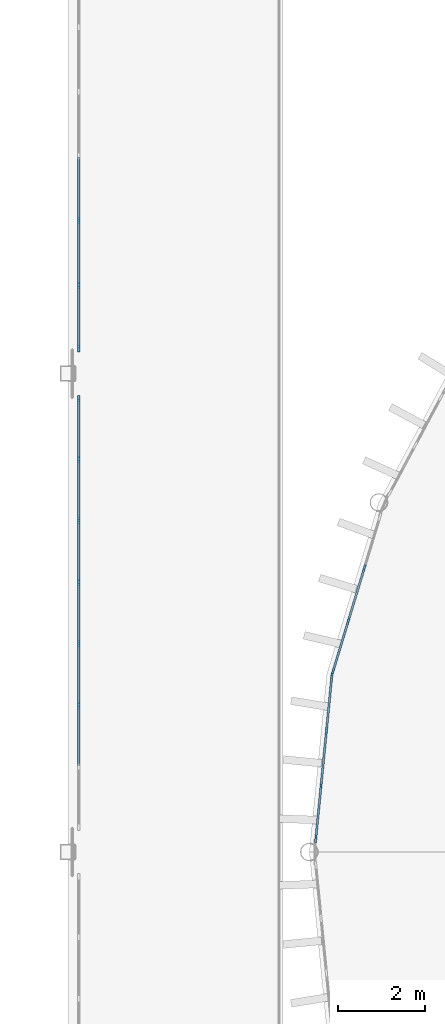
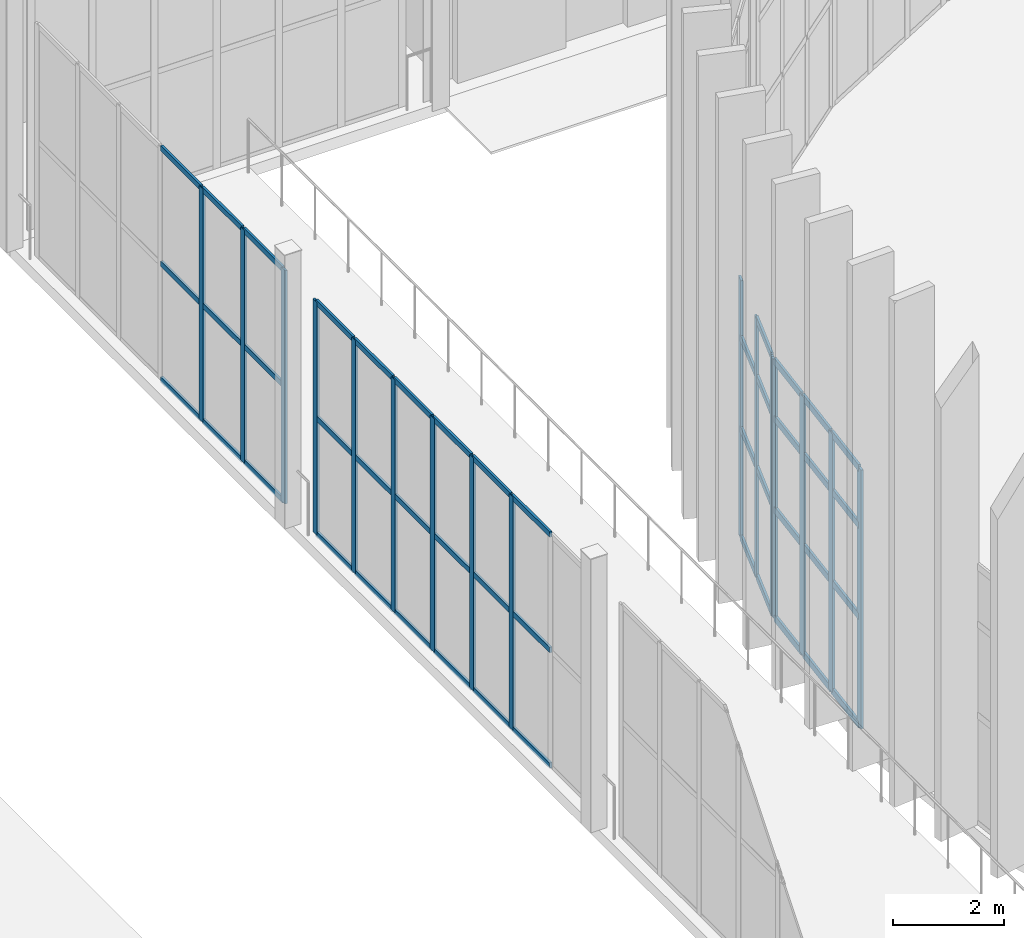
# One storey, part 43 of 139: 62 members, 4 elements without a shape of their own.
"""IFC4 building model written with IfcOpenShell, lengths in metres."""

from ifc_helpers import new_model, si_unit, direction, frame, origin, origin_2d, place, context, subcontext, project, spatial, rectangle, extrude, material, layer, layer_set, material_profile, profile_set, type_object, element, aggregate, save


model = new_model("IFC4")

# Units and contexts
model_context = context("Model", 3, precision=1e-05, world=origin(), true_north=direction((0.0, 1.0)))
body_context = subcontext(model_context, "Body", "Model", "MODEL_VIEW")
ifc_project = project(units=[si_unit("LENGTHUNIT", "METRE"), si_unit("AREAUNIT", "SQUARE_METRE"), si_unit("VOLUMEUNIT", "CUBIC_METRE"), si_unit("PLANEANGLEUNIT", "RADIAN"), si_unit("MASSUNIT", "GRAM", prefix="KILO")], contexts=[model_context])

# Site, building, storey
site_placement = place(None, origin())
site = spatial("IfcSite", under=ifc_project, at=site_placement, CompositionType="ELEMENT")
building_placement = place(site_placement, origin())
building = spatial("IfcBuilding", under=site, at=building_placement, Name="Yeouljin Market Hall", CompositionType="ELEMENT")
storey_placement = place(building_placement, origin())
storey = spatial("IfcBuildingStorey", under=building, at=storey_placement, Name="L00", CompositionType="ELEMENT", Elevation=0.0)

# Curtain wall, members
ifc_material_1 = material(Name="Thermally Broken Aluminium", Category="aluminium")
ifc_layer_1 = layer(ifc_material_1, 0.14990234375)
ifc_layer_set_1 = layer_set([ifc_layer_1], Name="Thermally Broken Aluminium")
curtain_wall_type_1 = type_object("IfcCurtainWallType", Name="CW_WingStorefront_System", PredefinedType="USERDEFINED", material=ifc_layer_set_1)
curtain_wall_1_placement = place(storey_placement, origin())
curtain_wall_1 = element("IfcCurtainWall", 1, at=curtain_wall_1_placement, inside=storey, type_object=curtain_wall_type_1, Name="Curtain wall CW-CRT-L00-07", ObjectType="CURTAIN WALL", PredefinedType="USERDEFINED")
ifc_material_2 = material(Name="Thermally Broken Aluminium", Category="aluminium")
ifc_material_profile_1 = material_profile(ifc_material_2, rectangle(XDim=0.048095703125, YDim=0.14990234375, at=origin_2d()), Name="CW-MULL-48x150")
ifc_profile_set_1 = profile_set([ifc_material_profile_1], Name="Thermally Broken Aluminium")
member_type_1 = type_object("IfcMemberType", Name="CWMullion_48x150", PredefinedType="MULLION", material=ifc_profile_set_1)
member_1_placement = place(storey_placement, frame((9.10009765625, 60.378662109375, 0.0), z_axis=(0.0, 0.0, 1.0), x_axis=(-1.0, 0.0, 0.0)))
member_1 = element("IfcMember", 2, at=member_1_placement, type_object=member_type_1, Name="CW-04 mullion 3", PredefinedType="MULLION", context=body_context, shape_type="SweptSolid", body=[
    extrude(rectangle(XDim=0.048095703125, YDim=0.14990234375, at=origin_2d()), origin(), (0.0, 0.0, 1.0), 5.1201171875),
])
member_2_placement = place(storey_placement, frame((9.10009765625, 61.79296875, 0.0), z_axis=(0.0, 0.0, 1.0), x_axis=(-1.0, 0.0, 0.0)))
member_2 = element("IfcMember", 3, at=member_2_placement, type_object=member_type_1, Name="CW-04 mullion 4", PredefinedType="MULLION", context=body_context, shape_type="SweptSolid", body=[
    extrude(rectangle(XDim=0.048095703125, YDim=0.14990234375, at=origin_2d()), origin(), (0.0, 0.0, 1.0), 5.1201171875),
])
member_3_placement = place(storey_placement, frame((9.10009765625, 63.20703125, 0.0), z_axis=(0.0, 0.0, 1.0), x_axis=(-1.0, 0.0, 0.0)))
member_3 = element("IfcMember", 4, at=member_3_placement, type_object=member_type_1, Name="CW-04 mullion 5", PredefinedType="MULLION", context=body_context, shape_type="SweptSolid", body=[
    extrude(rectangle(XDim=0.048095703125, YDim=0.14990234375, at=origin_2d()), origin(), (0.0, 0.0, 1.0), 5.1201171875),
])
member_4_placement = place(storey_placement, frame((9.10009765625, 64.621337890625, 0.0), z_axis=(0.0, 0.0, 1.0), x_axis=(-1.0, 0.0, 0.0)))
member_4 = element("IfcMember", 5, at=member_4_placement, type_object=member_type_1, Name="CW-04 mullion 6", PredefinedType="MULLION", context=body_context, shape_type="SweptSolid", body=[
    extrude(rectangle(XDim=0.048095703125, YDim=0.14990234375, at=origin_2d()), origin(), (0.0, 0.0, 1.0), 5.1201171875),
])
member_5_placement = place(storey_placement, frame((9.10009765625, 66.03564453125, 0.0), z_axis=(0.0, 0.0, 1.0), x_axis=(-1.0, 0.0, 0.0)))
member_5 = element("IfcMember", 6, at=member_5_placement, type_object=member_type_1, Name="CW-04 mullion 7", PredefinedType="MULLION", context=body_context, shape_type="SweptSolid", body=[
    extrude(rectangle(XDim=0.048095703125, YDim=0.14990234375, at=origin_2d()), origin(), (0.0, 0.0, 1.0), 5.1201171875),
])
member_6_placement = place(storey_placement, frame((9.10009765625, 67.426025390625, 0.0), z_axis=(0.0, 0.0, 1.0), x_axis=(-1.0, 0.0, 0.0)))
member_6 = element("IfcMember", 7, at=member_6_placement, type_object=member_type_1, Name="CW-04 mullion 8", PredefinedType="MULLION", context=body_context, shape_type="SweptSolid", body=[
    extrude(rectangle(XDim=0.048095703125, YDim=0.14990234375, at=origin_2d()), origin(), (0.0, 0.0, 1.0), 5.1201171875),
])

curtain_wall_2_placement = place(storey_placement, origin())
curtain_wall_2 = element("IfcCurtainWall", 8, at=curtain_wall_2_placement, inside=storey, type_object=curtain_wall_type_1, Name="Curtain wall CW-CRT-L00-08", ObjectType="CURTAIN WALL", PredefinedType="USERDEFINED")
member_7_placement = place(storey_placement, frame((9.10009765625, 68.573974609375, 0.0), z_axis=(0.0, 0.0, 1.0), x_axis=(-1.0, 0.0, 0.0)))
member_7 = element("IfcMember", 9, at=member_7_placement, type_object=member_type_1, Name="CW-04 mullion 1", PredefinedType="MULLION", context=body_context, shape_type="SweptSolid", body=[
    extrude(rectangle(XDim=0.048095703125, YDim=0.14990234375, at=origin_2d()), origin(), (0.0, 0.0, 1.0), 5.1201171875),
])
member_8_placement = place(storey_placement, frame((9.10009765625, 70.033447265625, 0.0), z_axis=(0.0, 0.0, 1.0), x_axis=(-1.0, 0.0, 0.0)))
member_8 = element("IfcMember", 10, at=member_8_placement, type_object=member_type_1, Name="CW-04 mullion 2", PredefinedType="MULLION", context=body_context, shape_type="SweptSolid", body=[
    extrude(rectangle(XDim=0.048095703125, YDim=0.14990234375, at=origin_2d()), origin(), (0.0, 0.0, 1.0), 5.1201171875),
])
member_9_placement = place(storey_placement, frame((9.10009765625, 71.5166015625, 0.0), z_axis=(0.0, 0.0, 1.0), x_axis=(-1.0, 0.0, 0.0)))
member_9 = element("IfcMember", 11, at=member_9_placement, type_object=member_type_1, Name="CW-04 mullion 3", PredefinedType="MULLION", context=body_context, shape_type="SweptSolid", body=[
    extrude(rectangle(XDim=0.048095703125, YDim=0.14990234375, at=origin_2d()), origin(), (0.0, 0.0, 1.0), 5.1201171875),
])

ifc_material_3 = material(Name="Thermally Broken Aluminium", Category="aluminium")
ifc_layer_2 = layer(ifc_material_3, 0.179931640625)
ifc_layer_set_2 = layer_set([ifc_layer_2], Name="Thermally Broken Aluminium")
curtain_wall_type_2 = type_object("IfcCurtainWallType", Name="CW_ApseCurved_System", PredefinedType="USERDEFINED", material=ifc_layer_set_2)
curtain_wall_3_placement = place(storey_placement, origin())
curtain_wall_3 = element("IfcCurtainWall", 12, at=curtain_wall_3_placement, inside=storey, type_object=curtain_wall_type_2, Name="Curtain wall CW-AP-WL00-09", ObjectType="CURTAIN WALL", PredefinedType="USERDEFINED")
ifc_material_4 = material(Name="Thermally Broken Aluminium", Category="aluminium")
ifc_material_profile_2 = material_profile(ifc_material_4, rectangle(XDim=0.048095703125, YDim=0.179931640625, at=origin_2d()), Name="CW-MULL-48x180")
ifc_profile_set_2 = profile_set([ifc_material_profile_2], Name="Thermally Broken Aluminium")
member_type_2 = type_object("IfcMemberType", Name="CWMullion_48x180", PredefinedType="MULLION", material=ifc_profile_set_2)
member_10_placement = place(storey_placement, frame((14.5498046875, 57.302490234375, 0.0), z_axis=(0.0, 0.0, 1.0), x_axis=(-0.995183051807, 0.09803414403, 0.0)))
member_10 = element("IfcMember", 13, at=member_10_placement, type_object=member_type_2, Name="CW-03 mullion 1", PredefinedType="MULLION", context=body_context, shape_type="SweptSolid", body=[
    extrude(rectangle(XDim=0.048095703125, YDim=0.179931640625, at=origin_2d()), origin(), (0.0, 0.0, 1.0), 5.679931640625),
])
member_11_placement = place(storey_placement, frame((14.670654296875, 58.5302734375, 0.0), z_axis=(0.0, 0.0, 1.0), x_axis=(-0.995183051807, 0.09803414403, 0.0)))
member_11 = element("IfcMember", 14, at=member_11_placement, type_object=member_type_2, Name="CW-03 mullion 2", PredefinedType="MULLION", context=body_context, shape_type="SweptSolid", body=[
    extrude(rectangle(XDim=0.048095703125, YDim=0.179931640625, at=origin_2d()), origin(), (0.0, 0.0, 1.0), 5.679931640625),
])
member_12_placement = place(storey_placement, frame((14.7939453125, 59.781982421875, 0.0), z_axis=(0.0, 0.0, 1.0), x_axis=(-0.995183051807, 0.09803414403, 0.0)))
member_12 = element("IfcMember", 15, at=member_12_placement, type_object=member_type_2, Name="CW-03 mullion 3", PredefinedType="MULLION", context=body_context, shape_type="SweptSolid", body=[
    extrude(rectangle(XDim=0.048095703125, YDim=0.179931640625, at=origin_2d()), origin(), (0.0, 0.0, 1.0), 5.679931640625),
])
member_13_placement = place(storey_placement, frame((14.9150390625, 61.009765625, 0.0), z_axis=(0.0, 0.0, 1.0), x_axis=(-0.995183051807, 0.09803414403, 0.0)))
member_13 = element("IfcMember", 16, at=member_13_placement, type_object=member_type_2, Name="CW-03 mullion 4", PredefinedType="MULLION", context=body_context, shape_type="SweptSolid", body=[
    extrude(rectangle(XDim=0.048095703125, YDim=0.179931640625, at=origin_2d()), origin(), (0.0, 0.0, 1.0), 5.679931640625),
])

curtain_wall_4_placement = place(storey_placement, origin())
curtain_wall_4 = element("IfcCurtainWall", 17, at=curtain_wall_4_placement, inside=storey, type_object=curtain_wall_type_2, Name="Curtain wall CW-AP-WL00-10", ObjectType="CURTAIN WALL", PredefinedType="USERDEFINED")
member_14_placement = place(storey_placement, frame((14.939697265625, 61.134765625, 0.0), z_axis=(0.0, 0.0, 1.0), x_axis=(-0.95693988447, 0.290286164863, 0.0)))
member_14 = element("IfcMember", 18, at=member_14_placement, type_object=member_type_2, Name="CW-03 mullion 1", PredefinedType="MULLION", context=body_context, shape_type="SweptSolid", body=[
    extrude(rectangle(XDim=0.048095703125, YDim=0.179931640625, at=origin_2d()), origin(), (0.0, 0.0, 1.0), 5.679931640625),
])
member_15_placement = place(storey_placement, frame((15.2978515625, 62.3154296875, 0.0), z_axis=(0.0, 0.0, 1.0), x_axis=(-0.95693988447, 0.290286164863, 0.0)))
member_15 = element("IfcMember", 19, at=member_15_placement, type_object=member_type_2, Name="CW-03 mullion 2", PredefinedType="MULLION", context=body_context, shape_type="SweptSolid", body=[
    extrude(rectangle(XDim=0.048095703125, YDim=0.179931640625, at=origin_2d()), origin(), (0.0, 0.0, 1.0), 5.679931640625),
])
member_16_placement = place(storey_placement, frame((15.6630859375, 63.51904296875, 0.0), z_axis=(0.0, 0.0, 1.0), x_axis=(-0.95693988447, 0.290286164863, 0.0)))
member_16 = element("IfcMember", 20, at=member_16_placement, type_object=member_type_2, Name="CW-03 mullion 3", PredefinedType="MULLION", context=body_context, shape_type="SweptSolid", body=[
    extrude(rectangle(XDim=0.048095703125, YDim=0.179931640625, at=origin_2d()), origin(), (0.0, 0.0, 1.0), 5.679931640625),
])

# Member
ifc_material_5 = material(Name="Thermally Broken Aluminium", Category="aluminium")
ifc_material_profile_3 = material_profile(ifc_material_5, rectangle(XDim=0.048095703125, YDim=0.1201171875, at=origin_2d()), Name="CW-TRAN-48x120")
ifc_profile_set_3 = profile_set([ifc_material_profile_3], Name="Thermally Broken Aluminium")
member_type_3 = type_object("IfcMemberType", Name="CWTransom_48x120", PredefinedType="USERDEFINED", material=ifc_profile_set_3)
member_17_placement = place(storey_placement, frame((9.10009765625, 58.98828125, 0.02392578125), z_axis=(0.0, 1.0, 0.0), x_axis=(-1.0, 0.0, 0.0)))
member_17 = element("IfcMember", 21, at=member_17_placement, type_object=member_type_3, Name="CW-04 transom 2.1", ObjectType="TRANSOM", PredefinedType="USERDEFINED", context=body_context, shape_type="SweptSolid", body=[
    extrude(rectangle(XDim=0.048095703125, YDim=0.1201171875, at=origin_2d()), origin(), (0.0, 0.0, 1.0), 1.3662109375),
])

member_18_placement = place(storey_placement, frame((9.10009765625, 58.98828125, 2.56005859375), z_axis=(0.0, 1.0, 0.0), x_axis=(-1.0, 0.0, 0.0)))
member_18 = element("IfcMember", 22, at=member_18_placement, type_object=member_type_3, Name="CW-04 transom 2.2", ObjectType="TRANSOM", PredefinedType="USERDEFINED", context=body_context, shape_type="SweptSolid", body=[
    extrude(rectangle(XDim=0.048095703125, YDim=0.1201171875, at=origin_2d()), origin(), (0.0, 0.0, 1.0), 1.3662109375),
])

member_19_placement = place(storey_placement, frame((9.10009765625, 58.98828125, 5.095947265625), z_axis=(0.0, 1.0, 0.0), x_axis=(-1.0, 0.0, 0.0)))
member_19 = element("IfcMember", 23, at=member_19_placement, type_object=member_type_3, Name="CW-04 transom 2.3", ObjectType="TRANSOM", PredefinedType="USERDEFINED", context=body_context, shape_type="SweptSolid", body=[
    extrude(rectangle(XDim=0.048095703125, YDim=0.1201171875, at=origin_2d()), origin(), (0.0, 0.0, 1.0), 1.3662109375),
])

member_20_placement = place(storey_placement, frame((9.10009765625, 60.402587890625, 0.02392578125), z_axis=(0.0, 1.0, 0.0), x_axis=(-1.0, 0.0, 0.0)))
member_20 = element("IfcMember", 24, at=member_20_placement, type_object=member_type_3, Name="CW-04 transom 3.1", ObjectType="TRANSOM", PredefinedType="USERDEFINED", context=body_context, shape_type="SweptSolid", body=[
    extrude(rectangle(XDim=0.048095703125, YDim=0.1201171875, at=origin_2d()), origin(), (0.0, 0.0, 1.0), 1.3662109375),
])

member_21_placement = place(storey_placement, frame((9.10009765625, 60.402587890625, 2.56005859375), z_axis=(0.0, 1.0, 0.0), x_axis=(-1.0, 0.0, 0.0)))
member_21 = element("IfcMember", 25, at=member_21_placement, type_object=member_type_3, Name="CW-04 transom 3.2", ObjectType="TRANSOM", PredefinedType="USERDEFINED", context=body_context, shape_type="SweptSolid", body=[
    extrude(rectangle(XDim=0.048095703125, YDim=0.1201171875, at=origin_2d()), origin(), (0.0, 0.0, 1.0), 1.3662109375),
])

member_22_placement = place(storey_placement, frame((9.10009765625, 60.402587890625, 5.095947265625), z_axis=(0.0, 1.0, 0.0), x_axis=(-1.0, 0.0, 0.0)))
member_22 = element("IfcMember", 26, at=member_22_placement, type_object=member_type_3, Name="CW-04 transom 3.3", ObjectType="TRANSOM", PredefinedType="USERDEFINED", context=body_context, shape_type="SweptSolid", body=[
    extrude(rectangle(XDim=0.048095703125, YDim=0.1201171875, at=origin_2d()), origin(), (0.0, 0.0, 1.0), 1.3662109375),
])

member_23_placement = place(storey_placement, frame((9.10009765625, 61.81689453125, 0.02392578125), z_axis=(0.0, 1.0, 0.0), x_axis=(-1.0, 0.0, 0.0)))
member_23 = element("IfcMember", 27, at=member_23_placement, type_object=member_type_3, Name="CW-04 transom 4.1", ObjectType="TRANSOM", PredefinedType="USERDEFINED", context=body_context, shape_type="SweptSolid", body=[
    extrude(rectangle(XDim=0.048095703125, YDim=0.1201171875, at=origin_2d()), origin(), (0.0, 0.0, 1.0), 1.3662109375),
])

member_24_placement = place(storey_placement, frame((9.10009765625, 61.81689453125, 2.56005859375), z_axis=(0.0, 1.0, 0.0), x_axis=(-1.0, 0.0, 0.0)))
member_24 = element("IfcMember", 28, at=member_24_placement, type_object=member_type_3, Name="CW-04 transom 4.2", ObjectType="TRANSOM", PredefinedType="USERDEFINED", context=body_context, shape_type="SweptSolid", body=[
    extrude(rectangle(XDim=0.048095703125, YDim=0.1201171875, at=origin_2d()), origin(), (0.0, 0.0, 1.0), 1.3662109375),
])

member_25_placement = place(storey_placement, frame((9.10009765625, 61.81689453125, 5.095947265625), z_axis=(0.0, 1.0, 0.0), x_axis=(-1.0, 0.0, 0.0)))
member_25 = element("IfcMember", 29, at=member_25_placement, type_object=member_type_3, Name="CW-04 transom 4.3", ObjectType="TRANSOM", PredefinedType="USERDEFINED", context=body_context, shape_type="SweptSolid", body=[
    extrude(rectangle(XDim=0.048095703125, YDim=0.1201171875, at=origin_2d()), origin(), (0.0, 0.0, 1.0), 1.3662109375),
])

member_26_placement = place(storey_placement, frame((9.10009765625, 63.231201171875, 0.02392578125), z_axis=(0.0, 1.0, 0.0), x_axis=(-1.0, 0.0, 0.0)))
member_26 = element("IfcMember", 30, at=member_26_placement, type_object=member_type_3, Name="CW-04 transom 5.1", ObjectType="TRANSOM", PredefinedType="USERDEFINED", context=body_context, shape_type="SweptSolid", body=[
    extrude(rectangle(XDim=0.048095703125, YDim=0.1201171875, at=origin_2d()), origin(), (0.0, 0.0, 1.0), 1.3662109375),
])

member_27_placement = place(storey_placement, frame((9.10009765625, 63.231201171875, 2.56005859375), z_axis=(0.0, 1.0, 0.0), x_axis=(-1.0, 0.0, 0.0)))
member_27 = element("IfcMember", 31, at=member_27_placement, type_object=member_type_3, Name="CW-04 transom 5.2", ObjectType="TRANSOM", PredefinedType="USERDEFINED", context=body_context, shape_type="SweptSolid", body=[
    extrude(rectangle(XDim=0.048095703125, YDim=0.1201171875, at=origin_2d()), origin(), (0.0, 0.0, 1.0), 1.3662109375),
])

member_28_placement = place(storey_placement, frame((9.10009765625, 63.231201171875, 5.095947265625), z_axis=(0.0, 1.0, 0.0), x_axis=(-1.0, 0.0, 0.0)))
member_28 = element("IfcMember", 32, at=member_28_placement, type_object=member_type_3, Name="CW-04 transom 5.3", ObjectType="TRANSOM", PredefinedType="USERDEFINED", context=body_context, shape_type="SweptSolid", body=[
    extrude(rectangle(XDim=0.048095703125, YDim=0.1201171875, at=origin_2d()), origin(), (0.0, 0.0, 1.0), 1.3662109375),
])

member_29_placement = place(storey_placement, frame((9.10009765625, 64.6455078125, 0.02392578125), z_axis=(0.0, 1.0, 0.0), x_axis=(-1.0, 0.0, 0.0)))
member_29 = element("IfcMember", 33, at=member_29_placement, type_object=member_type_3, Name="CW-04 transom 6.1", ObjectType="TRANSOM", PredefinedType="USERDEFINED", context=body_context, shape_type="SweptSolid", body=[
    extrude(rectangle(XDim=0.048095703125, YDim=0.1201171875, at=origin_2d()), origin(), (0.0, 0.0, 1.0), 1.3662109375),
])

member_30_placement = place(storey_placement, frame((9.10009765625, 64.6455078125, 2.56005859375), z_axis=(0.0, 1.0, 0.0), x_axis=(-1.0, 0.0, 0.0)))
member_30 = element("IfcMember", 34, at=member_30_placement, type_object=member_type_3, Name="CW-04 transom 6.2", ObjectType="TRANSOM", PredefinedType="USERDEFINED", context=body_context, shape_type="SweptSolid", body=[
    extrude(rectangle(XDim=0.048095703125, YDim=0.1201171875, at=origin_2d()), origin(), (0.0, 0.0, 1.0), 1.3662109375),
])

member_31_placement = place(storey_placement, frame((9.10009765625, 64.6455078125, 5.095947265625), z_axis=(0.0, 1.0, 0.0), x_axis=(-1.0, 0.0, 0.0)))
member_31 = element("IfcMember", 35, at=member_31_placement, type_object=member_type_3, Name="CW-04 transom 6.3", ObjectType="TRANSOM", PredefinedType="USERDEFINED", context=body_context, shape_type="SweptSolid", body=[
    extrude(rectangle(XDim=0.048095703125, YDim=0.1201171875, at=origin_2d()), origin(), (0.0, 0.0, 1.0), 1.3662109375),
])

member_32_placement = place(storey_placement, frame((9.10009765625, 66.059814453125, 0.02392578125), z_axis=(0.0, 1.0, 0.0), x_axis=(-1.0, 0.0, 0.0)))
member_32 = element("IfcMember", 36, at=member_32_placement, type_object=member_type_3, Name="CW-04 transom 7.1", ObjectType="TRANSOM", PredefinedType="USERDEFINED", context=body_context, shape_type="SweptSolid", body=[
    extrude(rectangle(XDim=0.048095703125, YDim=0.1201171875, at=origin_2d()), origin(), (0.0, 0.0, 1.0), 1.34228515625),
])

member_33_placement = place(storey_placement, frame((9.10009765625, 66.059814453125, 2.56005859375), z_axis=(0.0, 1.0, 0.0), x_axis=(-1.0, 0.0, 0.0)))
member_33 = element("IfcMember", 37, at=member_33_placement, type_object=member_type_3, Name="CW-04 transom 7.2", ObjectType="TRANSOM", PredefinedType="USERDEFINED", context=body_context, shape_type="SweptSolid", body=[
    extrude(rectangle(XDim=0.048095703125, YDim=0.1201171875, at=origin_2d()), origin(), (0.0, 0.0, 1.0), 1.34228515625),
])

member_34_placement = place(storey_placement, frame((9.10009765625, 66.059814453125, 5.095947265625), z_axis=(0.0, 1.0, 0.0), x_axis=(-1.0, 0.0, 0.0)))
member_34 = element("IfcMember", 38, at=member_34_placement, type_object=member_type_3, Name="CW-04 transom 7.3", ObjectType="TRANSOM", PredefinedType="USERDEFINED", context=body_context, shape_type="SweptSolid", body=[
    extrude(rectangle(XDim=0.048095703125, YDim=0.1201171875, at=origin_2d()), origin(), (0.0, 0.0, 1.0), 1.34228515625),
])

aggregate(curtain_wall_1, [member_1, member_2, member_3, member_4, member_5, member_6, member_17, member_18, member_19, member_20, member_21, member_22, member_23, member_24, member_25, member_26, member_27, member_28, member_29, member_30, member_31, member_32, member_33, member_34])

member_35_placement = place(storey_placement, frame((9.10009765625, 68.597900390625, 0.02392578125), z_axis=(0.0, 1.0, 0.0), x_axis=(-1.0, 0.0, 0.0)))
member_35 = element("IfcMember", 39, at=member_35_placement, type_object=member_type_3, Name="CW-04 transom 1.1", ObjectType="TRANSOM", PredefinedType="USERDEFINED", context=body_context, shape_type="SweptSolid", body=[
    extrude(rectangle(XDim=0.048095703125, YDim=0.1201171875, at=origin_2d()), origin(), (0.0, 0.0, 1.0), 1.411376953125),
])

member_36_placement = place(storey_placement, frame((9.10009765625, 68.597900390625, 2.56005859375), z_axis=(0.0, 1.0, 0.0), x_axis=(-1.0, 0.0, 0.0)))
member_36 = element("IfcMember", 40, at=member_36_placement, type_object=member_type_3, Name="CW-04 transom 1.2", ObjectType="TRANSOM", PredefinedType="USERDEFINED", context=body_context, shape_type="SweptSolid", body=[
    extrude(rectangle(XDim=0.048095703125, YDim=0.1201171875, at=origin_2d()), origin(), (0.0, 0.0, 1.0), 1.411376953125),
])

member_37_placement = place(storey_placement, frame((9.10009765625, 68.597900390625, 5.095947265625), z_axis=(0.0, 1.0, 0.0), x_axis=(-1.0, 0.0, 0.0)))
member_37 = element("IfcMember", 41, at=member_37_placement, type_object=member_type_3, Name="CW-04 transom 1.3", ObjectType="TRANSOM", PredefinedType="USERDEFINED", context=body_context, shape_type="SweptSolid", body=[
    extrude(rectangle(XDim=0.048095703125, YDim=0.1201171875, at=origin_2d()), origin(), (0.0, 0.0, 1.0), 1.411376953125),
])

member_38_placement = place(storey_placement, frame((9.10009765625, 70.057373046875, 0.02392578125), z_axis=(0.0, 1.0, 0.0), x_axis=(-1.0, 0.0, 0.0)))
member_38 = element("IfcMember", 42, at=member_38_placement, type_object=member_type_3, Name="CW-04 transom 2.1", ObjectType="TRANSOM", PredefinedType="USERDEFINED", context=body_context, shape_type="SweptSolid", body=[
    extrude(rectangle(XDim=0.048095703125, YDim=0.1201171875, at=origin_2d()), origin(), (0.0, 0.0, 1.0), 1.435302734375),
])

member_39_placement = place(storey_placement, frame((9.10009765625, 70.057373046875, 2.56005859375), z_axis=(0.0, 1.0, 0.0), x_axis=(-1.0, 0.0, 0.0)))
member_39 = element("IfcMember", 43, at=member_39_placement, type_object=member_type_3, Name="CW-04 transom 2.2", ObjectType="TRANSOM", PredefinedType="USERDEFINED", context=body_context, shape_type="SweptSolid", body=[
    extrude(rectangle(XDim=0.048095703125, YDim=0.1201171875, at=origin_2d()), origin(), (0.0, 0.0, 1.0), 1.435302734375),
])

member_40_placement = place(storey_placement, frame((9.10009765625, 70.057373046875, 5.095947265625), z_axis=(0.0, 1.0, 0.0), x_axis=(-1.0, 0.0, 0.0)))
member_40 = element("IfcMember", 44, at=member_40_placement, type_object=member_type_3, Name="CW-04 transom 2.3", ObjectType="TRANSOM", PredefinedType="USERDEFINED", context=body_context, shape_type="SweptSolid", body=[
    extrude(rectangle(XDim=0.048095703125, YDim=0.1201171875, at=origin_2d()), origin(), (0.0, 0.0, 1.0), 1.435302734375),
])

member_41_placement = place(storey_placement, frame((9.10009765625, 71.540771484375, 0.02392578125), z_axis=(0.0, 1.0, 0.0), x_axis=(-1.0, 0.0, 0.0)))
member_41 = element("IfcMember", 45, at=member_41_placement, type_object=member_type_3, Name="CW-04 transom 3.1", ObjectType="TRANSOM", PredefinedType="USERDEFINED", context=body_context, shape_type="SweptSolid", body=[
    extrude(rectangle(XDim=0.048095703125, YDim=0.1201171875, at=origin_2d()), origin(), (0.0, 0.0, 1.0), 1.435302734375),
])

member_42_placement = place(storey_placement, frame((9.10009765625, 71.540771484375, 2.56005859375), z_axis=(0.0, 1.0, 0.0), x_axis=(-1.0, 0.0, 0.0)))
member_42 = element("IfcMember", 46, at=member_42_placement, type_object=member_type_3, Name="CW-04 transom 3.2", ObjectType="TRANSOM", PredefinedType="USERDEFINED", context=body_context, shape_type="SweptSolid", body=[
    extrude(rectangle(XDim=0.048095703125, YDim=0.1201171875, at=origin_2d()), origin(), (0.0, 0.0, 1.0), 1.435302734375),
])

member_43_placement = place(storey_placement, frame((9.10009765625, 71.540771484375, 5.095947265625), z_axis=(0.0, 1.0, 0.0), x_axis=(-1.0, 0.0, 0.0)))
member_43 = element("IfcMember", 47, at=member_43_placement, type_object=member_type_3, Name="CW-04 transom 3.3", ObjectType="TRANSOM", PredefinedType="USERDEFINED", context=body_context, shape_type="SweptSolid", body=[
    extrude(rectangle(XDim=0.048095703125, YDim=0.1201171875, at=origin_2d()), origin(), (0.0, 0.0, 1.0), 1.435302734375),
])

aggregate(curtain_wall_2, [member_7, member_8, member_9, member_35, member_36, member_37, member_38, member_39, member_40, member_41, member_42, member_43])

ifc_material_6 = material(Name="Thermally Broken Aluminium", Category="aluminium")
ifc_material_profile_4 = material_profile(ifc_material_6, rectangle(XDim=0.048095703125, YDim=0.14990234375, at=origin_2d()), Name="CW-TRAN-48x150")
ifc_profile_set_4 = profile_set([ifc_material_profile_4], Name="Thermally Broken Aluminium")
member_type_4 = type_object("IfcMemberType", Name="CWTransom_48x150", PredefinedType="USERDEFINED", material=ifc_profile_set_4)
member_44_placement = place(storey_placement, frame((14.552001953125, 57.326416015625, 0.02392578125), z_axis=(0.098199122264, 0.995166786216, 0.0), x_axis=(-0.995166786216, 0.098199122264, 0.0)))
member_44 = element("IfcMember", 48, at=member_44_placement, type_object=member_type_4, Name="CW-03 transom 1.1", ObjectType="TRANSOM", PredefinedType="USERDEFINED", context=body_context, shape_type="SweptSolid", body=[
    extrude(rectangle(XDim=0.048095703125, YDim=0.14990234375, at=origin_2d()), origin(), (0.0, 0.0, 1.0), 1.185791015625),
])

member_45_placement = place(storey_placement, frame((14.552001953125, 57.326416015625, 2.39990234375), z_axis=(0.098199122264, 0.995166786216, 0.0), x_axis=(-0.995166786216, 0.098199122264, 0.0)))
member_45 = element("IfcMember", 49, at=member_45_placement, type_object=member_type_4, Name="CW-03 transom 1.2", ObjectType="TRANSOM", PredefinedType="USERDEFINED", context=body_context, shape_type="SweptSolid", body=[
    extrude(rectangle(XDim=0.048095703125, YDim=0.14990234375, at=origin_2d()), origin(), (0.0, 0.0, 1.0), 1.185791015625),
])

member_46_placement = place(storey_placement, frame((14.552001953125, 57.326416015625, 4.39990234375), z_axis=(0.098199122264, 0.995166786216, 0.0), x_axis=(-0.995166786216, 0.098199122264, 0.0)))
member_46 = element("IfcMember", 50, at=member_46_placement, type_object=member_type_4, Name="CW-03 transom 1.3", ObjectType="TRANSOM", PredefinedType="USERDEFINED", context=body_context, shape_type="SweptSolid", body=[
    extrude(rectangle(XDim=0.048095703125, YDim=0.14990234375, at=origin_2d()), origin(), (0.0, 0.0, 1.0), 1.185791015625),
])

member_47_placement = place(storey_placement, frame((14.552001953125, 57.326416015625, 5.656005859375), z_axis=(0.098199122264, 0.995166786216, 0.0), x_axis=(-0.995166786216, 0.098199122264, 0.0)))
member_47 = element("IfcMember", 51, at=member_47_placement, type_object=member_type_4, Name="CW-03 transom 1.4", ObjectType="TRANSOM", PredefinedType="USERDEFINED", context=body_context, shape_type="SweptSolid", body=[
    extrude(rectangle(XDim=0.048095703125, YDim=0.14990234375, at=origin_2d()), origin(), (0.0, 0.0, 1.0), 1.185791015625),
])

member_48_placement = place(storey_placement, frame((14.673095703125, 58.55419921875, 0.02392578125), z_axis=(0.098084878045, 0.995178052762, 0.0), x_axis=(-0.995178052762, 0.098084878045, 0.0)))
member_48 = element("IfcMember", 52, at=member_48_placement, type_object=member_type_4, Name="CW-03 transom 2.1", ObjectType="TRANSOM", PredefinedType="USERDEFINED", context=body_context, shape_type="SweptSolid", body=[
    extrude(rectangle(XDim=0.048095703125, YDim=0.14990234375, at=origin_2d()), origin(), (0.0, 0.0, 1.0), 1.209716796875),
])

member_49_placement = place(storey_placement, frame((14.673095703125, 58.55419921875, 2.39990234375), z_axis=(0.098084878045, 0.995178052762, 0.0), x_axis=(-0.995178052762, 0.098084878045, 0.0)))
member_49 = element("IfcMember", 53, at=member_49_placement, type_object=member_type_4, Name="CW-03 transom 2.2", ObjectType="TRANSOM", PredefinedType="USERDEFINED", context=body_context, shape_type="SweptSolid", body=[
    extrude(rectangle(XDim=0.048095703125, YDim=0.14990234375, at=origin_2d()), origin(), (0.0, 0.0, 1.0), 1.209716796875),
])

member_50_placement = place(storey_placement, frame((14.673095703125, 58.55419921875, 4.39990234375), z_axis=(0.098084878045, 0.995178052762, 0.0), x_axis=(-0.995178052762, 0.098084878045, 0.0)))
member_50 = element("IfcMember", 54, at=member_50_placement, type_object=member_type_4, Name="CW-03 transom 2.3", ObjectType="TRANSOM", PredefinedType="USERDEFINED", context=body_context, shape_type="SweptSolid", body=[
    extrude(rectangle(XDim=0.048095703125, YDim=0.14990234375, at=origin_2d()), origin(), (0.0, 0.0, 1.0), 1.209716796875),
])

member_51_placement = place(storey_placement, frame((14.673095703125, 58.55419921875, 5.656005859375), z_axis=(0.098084878045, 0.995178052762, 0.0), x_axis=(-0.995178052762, 0.098084878045, 0.0)))
member_51 = element("IfcMember", 55, at=member_51_placement, type_object=member_type_4, Name="CW-03 transom 2.4", ObjectType="TRANSOM", PredefinedType="USERDEFINED", context=body_context, shape_type="SweptSolid", body=[
    extrude(rectangle(XDim=0.048095703125, YDim=0.14990234375, at=origin_2d()), origin(), (0.0, 0.0, 1.0), 1.209716796875),
])

member_52_placement = place(storey_placement, frame((14.79638671875, 59.805908203125, 0.02392578125), z_axis=(0.098015314606, 0.995184906489, 0.0), x_axis=(-0.995184906489, 0.098015314606, 0.0)))
member_52 = element("IfcMember", 56, at=member_52_placement, type_object=member_type_4, Name="CW-03 transom 3.1", ObjectType="TRANSOM", PredefinedType="USERDEFINED", context=body_context, shape_type="SweptSolid", body=[
    extrude(rectangle(XDim=0.048095703125, YDim=0.14990234375, at=origin_2d()), origin(), (0.0, 0.0, 1.0), 1.185546875),
])

member_53_placement = place(storey_placement, frame((14.79638671875, 59.805908203125, 2.39990234375), z_axis=(0.098015314606, 0.995184906489, 0.0), x_axis=(-0.995184906489, 0.098015314606, 0.0)))
member_53 = element("IfcMember", 57, at=member_53_placement, type_object=member_type_4, Name="CW-03 transom 3.2", ObjectType="TRANSOM", PredefinedType="USERDEFINED", context=body_context, shape_type="SweptSolid", body=[
    extrude(rectangle(XDim=0.048095703125, YDim=0.14990234375, at=origin_2d()), origin(), (0.0, 0.0, 1.0), 1.185546875),
])

member_54_placement = place(storey_placement, frame((14.79638671875, 59.805908203125, 4.39990234375), z_axis=(0.098015314606, 0.995184906489, 0.0), x_axis=(-0.995184906489, 0.098015314606, 0.0)))
member_54 = element("IfcMember", 58, at=member_54_placement, type_object=member_type_4, Name="CW-03 transom 3.3", ObjectType="TRANSOM", PredefinedType="USERDEFINED", context=body_context, shape_type="SweptSolid", body=[
    extrude(rectangle(XDim=0.048095703125, YDim=0.14990234375, at=origin_2d()), origin(), (0.0, 0.0, 1.0), 1.185546875),
])

member_55_placement = place(storey_placement, frame((14.79638671875, 59.805908203125, 5.656005859375), z_axis=(0.098015314606, 0.995184906489, 0.0), x_axis=(-0.995184906489, 0.098015314606, 0.0)))
member_55 = element("IfcMember", 59, at=member_55_placement, type_object=member_type_4, Name="CW-03 transom 3.4", ObjectType="TRANSOM", PredefinedType="USERDEFINED", context=body_context, shape_type="SweptSolid", body=[
    extrude(rectangle(XDim=0.048095703125, YDim=0.14990234375, at=origin_2d()), origin(), (0.0, 0.0, 1.0), 1.185546875),
])

aggregate(curtain_wall_3, [member_10, member_11, member_12, member_13, member_44, member_45, member_46, member_47, member_48, member_49, member_50, member_51, member_52, member_53, member_54, member_55])

member_56_placement = place(storey_placement, frame((14.94677734375, 61.15771484375, 0.02392578125), z_axis=(0.290293088565, 0.956937784149, 0.0), x_axis=(-0.956937784149, 0.290293088565, 0.0)))
member_56 = element("IfcMember", 60, at=member_56_placement, type_object=member_type_4, Name="CW-03 transom 1.1", ObjectType="TRANSOM", PredefinedType="USERDEFINED", context=body_context, shape_type="SweptSolid", body=[
    extrude(rectangle(XDim=0.048095703125, YDim=0.14990234375, at=origin_2d()), origin(), (0.0, 0.0, 1.0), 1.185791015625),
])

member_57_placement = place(storey_placement, frame((14.94677734375, 61.15771484375, 2.39990234375), z_axis=(0.290293088565, 0.956937784149, 0.0), x_axis=(-0.956937784149, 0.290293088565, 0.0)))
member_57 = element("IfcMember", 61, at=member_57_placement, type_object=member_type_4, Name="CW-03 transom 1.2", ObjectType="TRANSOM", PredefinedType="USERDEFINED", context=body_context, shape_type="SweptSolid", body=[
    extrude(rectangle(XDim=0.048095703125, YDim=0.14990234375, at=origin_2d()), origin(), (0.0, 0.0, 1.0), 1.185791015625),
])

member_58_placement = place(storey_placement, frame((14.94677734375, 61.15771484375, 4.39990234375), z_axis=(0.290293088565, 0.956937784149, 0.0), x_axis=(-0.956937784149, 0.290293088565, 0.0)))
member_58 = element("IfcMember", 62, at=member_58_placement, type_object=member_type_4, Name="CW-03 transom 1.3", ObjectType="TRANSOM", PredefinedType="USERDEFINED", context=body_context, shape_type="SweptSolid", body=[
    extrude(rectangle(XDim=0.048095703125, YDim=0.14990234375, at=origin_2d()), origin(), (0.0, 0.0, 1.0), 1.185791015625),
])

member_59_placement = place(storey_placement, frame((14.94677734375, 61.15771484375, 5.656005859375), z_axis=(0.290293088565, 0.956937784149, 0.0), x_axis=(-0.956937784149, 0.290293088565, 0.0)))
member_59 = element("IfcMember", 63, at=member_59_placement, type_object=member_type_4, Name="CW-03 transom 1.4", ObjectType="TRANSOM", PredefinedType="USERDEFINED", context=body_context, shape_type="SweptSolid", body=[
    extrude(rectangle(XDim=0.048095703125, YDim=0.14990234375, at=origin_2d()), origin(), (0.0, 0.0, 1.0), 1.185791015625),
])

member_60_placement = place(storey_placement, frame((15.304931640625, 62.33837890625, 0.02392578125), z_axis=(0.290253878276, 0.956949677959, 0.0), x_axis=(-0.956949677959, 0.290253878276, 0.0)))
member_60 = element("IfcMember", 64, at=member_60_placement, type_object=member_type_4, Name="CW-03 transom 2.1", ObjectType="TRANSOM", PredefinedType="USERDEFINED", context=body_context, shape_type="SweptSolid", body=[
    extrude(rectangle(XDim=0.048095703125, YDim=0.14990234375, at=origin_2d()), origin(), (0.0, 0.0, 1.0), 1.20947265625),
])

member_61_placement = place(storey_placement, frame((15.304931640625, 62.33837890625, 2.39990234375), z_axis=(0.290253878276, 0.956949677959, 0.0), x_axis=(-0.956949677959, 0.290253878276, 0.0)))
member_61 = element("IfcMember", 65, at=member_61_placement, type_object=member_type_4, Name="CW-03 transom 2.2", ObjectType="TRANSOM", PredefinedType="USERDEFINED", context=body_context, shape_type="SweptSolid", body=[
    extrude(rectangle(XDim=0.048095703125, YDim=0.14990234375, at=origin_2d()), origin(), (0.0, 0.0, 1.0), 1.20947265625),
])

member_62_placement = place(storey_placement, frame((15.304931640625, 62.33837890625, 4.39990234375), z_axis=(0.290253878276, 0.956949677959, 0.0), x_axis=(-0.956949677959, 0.290253878276, 0.0)))
member_62 = element("IfcMember", 66, at=member_62_placement, type_object=member_type_4, Name="CW-03 transom 2.3", ObjectType="TRANSOM", PredefinedType="USERDEFINED", context=body_context, shape_type="SweptSolid", body=[
    extrude(rectangle(XDim=0.048095703125, YDim=0.14990234375, at=origin_2d()), origin(), (0.0, 0.0, 1.0), 1.20947265625),
])

aggregate(curtain_wall_4, [member_14, member_15, member_16, member_56, member_57, member_58, member_59, member_60, member_61, member_62])

save(model, "model.ifc")
